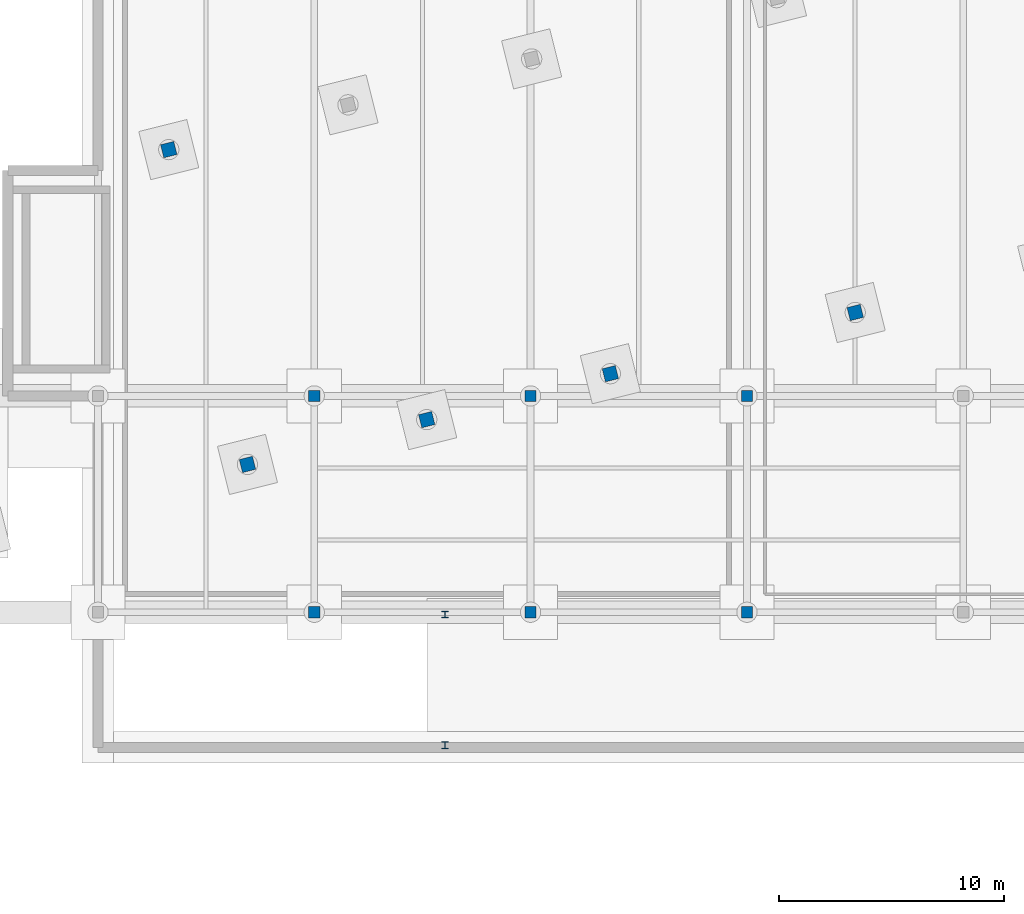
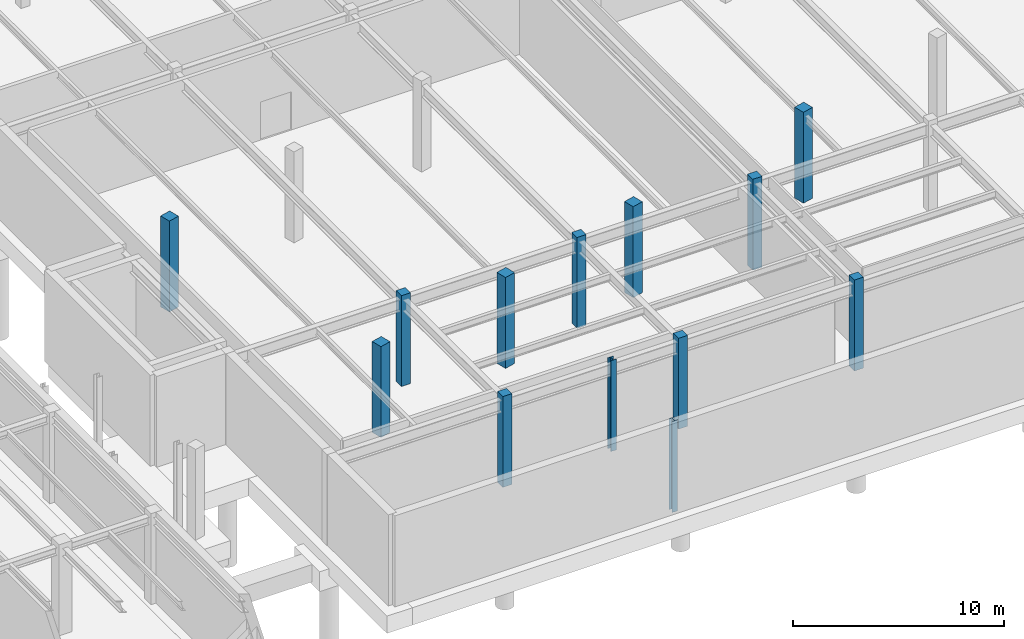
# One storey, part 7 of 33: 13 columns.
"""IFC4 building model written with IfcOpenShell, lengths in metres."""

from ifc_helpers import new_model, si_unit, direction, frame, origin, origin_2d, place, context, subcontext, project, spatial, rectangle, i_section, extrude, material, material_profile, profile_set, type_object, element, save


model = new_model("IFC4")

# Units and contexts
model_context = context("Model", 3, precision=1e-05, world=origin(), true_north=direction((0.0, 1.0)))
body_context = subcontext(model_context, "Body", "Model", "MODEL_VIEW")
ifc_project = project(units=[si_unit("LENGTHUNIT", "METRE"), si_unit("AREAUNIT", "SQUARE_METRE"), si_unit("VOLUMEUNIT", "CUBIC_METRE"), si_unit("PLANEANGLEUNIT", "RADIAN"), si_unit("MASSUNIT", "GRAM", prefix="KILO")], contexts=[model_context])

# Site, building, storey
site_placement = place(None, origin())
site = spatial("IfcSite", under=ifc_project, at=site_placement, CompositionType="ELEMENT")
building_placement = place(site_placement, origin())
building = spatial("IfcBuilding", under=site, at=building_placement, Name="Nordkorset Police Headquarters", CompositionType="ELEMENT")
storey_placement = place(building_placement, frame((0.0, 0.0, -9.800048828125)))
storey = spatial("IfcBuildingStorey", under=building, at=storey_placement, Name="B02", CompositionType="ELEMENT", Elevation=-9.800048828125)

# Columns
ifc_material_1 = material(Name="Steel S355J2", Category="steel")
ifc_material_profile_1 = material_profile(ifc_material_1, i_section(OverallWidth=0.300048828125, OverallDepth=0.300048828125, WebThickness=0.010986328125, FlangeThickness=0.01904296875, FilletRadius=0.027099609375, at=origin_2d()), Name="HEB 300")
ifc_profile_set_1 = profile_set([ifc_material_profile_1], Name="Steel S355J2")
column_type_1 = type_object("IfcColumnType", Name="Col_HEB_300", PredefinedType="COLUMN", material=ifc_profile_set_1)
for number, where, z_axis, x_axis, name in (
    (1, (44.199951171875, 32.5, 0.0), (0.0, 0.0, 1.0), (1.0, 0.0, 0.0), "Ramp Hood Pier B02 1"),
    (2, (44.199951171875, 38.300048828125, 0.0), (0.0, 0.0, 1.0), (1.0, 0.0, 0.0), "Ramp Hood Pier B02 3"),
):
    element("IfcColumn", number, at=place(storey_placement, frame(where, z_axis=z_axis, x_axis=x_axis)), inside=storey, type_object=column_type_1, Name=name, PredefinedType="COLUMN", context=body_context, shape_type="SweptSolid", body=[
        extrude(i_section(OverallWidth=0.300048828125, OverallDepth=0.300048828125, WebThickness=0.010986328125, FlangeThickness=0.01904296875, FilletRadius=0.027099609375, at=origin_2d()), origin(), (0.0, 0.0, 1.0), 5.25),
    ])
ifc_material_2 = material(Name="Concrete C45/55", Category="concrete")
ifc_material_profile_2 = material_profile(ifc_material_2, rectangle(XDim=0.5, YDim=0.5, at=origin_2d()), Name="RC 500x500")
ifc_profile_set_2 = profile_set([ifc_material_profile_2], Name="Concrete C45/55")
column_type_2 = type_object("IfcColumnType", Name="Col_RC_500x500", PredefinedType="COLUMN", material=ifc_profile_set_2)
for number, where, z_axis, x_axis, name in (
    (3, (38.39990234375, 38.39990234375, 0.0), (0.0, 0.0, 1.0), (1.0, 0.0, 0.0), "Structural Column SUB_C_1_0 B02"),
    (4, (38.39990234375, 48.0, 0.0), (0.0, 0.0, 1.0), (1.0, 0.0, 0.0), "Structural Column SUB_C_1_1 B02"),
    (5, (48.0, 38.39990234375, 0.0), (0.0, 0.0, 1.0), (1.0, 0.0, 0.0), "Structural Column SUB_C_2_0 B02"),
    (6, (48.0, 48.0, 0.0), (0.0, 0.0, 1.0), (1.0, 0.0, 0.0), "Structural Column SUB_C_2_1 B02"),
    (7, (57.60009765625, 38.39990234375, 0.0), (0.0, 0.0, 1.0), (1.0, 0.0, 0.0), "Structural Column SUB_C_3_0 B02"),
    (8, (57.60009765625, 48.0, 0.0), (0.0, 0.0, 1.0), (1.0, 0.0, 0.0), "Structural Column SUB_C_3_1 B02"),
):
    element("IfcColumn", number, at=place(storey_placement, frame(where, z_axis=z_axis, x_axis=x_axis)), inside=storey, type_object=column_type_2, Name=name, PredefinedType="COLUMN", context=body_context, shape_type="SweptSolid", body=[
        extrude(rectangle(XDim=0.5, YDim=0.5, at=origin_2d()), origin(), (0.0, 0.0, 1.0), 5.25),
    ])
ifc_material_3 = material(Name="Concrete C45/55", Category="concrete")
ifc_material_profile_3 = material_profile(ifc_material_3, rectangle(XDim=0.60009765625, YDim=0.60009765625, at=origin_2d()), Name="RC 600x600")
ifc_profile_set_3 = profile_set([ifc_material_profile_3], Name="Concrete C45/55")
column_type_3 = type_object("IfcColumnType", Name="Col_RC_600x600", PredefinedType="COLUMN", material=ifc_profile_set_3)
for number, where, z_axis, x_axis, name in (
    (9, (35.435791015625, 44.958984375, 0.0), (0.0, 0.0, 1.0), (0.970142500145, 0.242535625038, 0.0), "Structural Column V4_U1_V0 B02"),
    (10, (31.943115234375, 58.928955078125, 0.0), (0.0, 0.0, 1.0), (0.970142500145, 0.242535625038, 0.0), "Structural Column V4_U1_V1 B02"),
    (11, (43.390869140625, 46.94775390625, 0.0), (0.0, 0.0, 1.0), (0.970142500145, 0.242535625038, 0.0), "Structural Column V4_U2_V0 B02"),
    (12, (51.5400390625, 48.985107421875, 0.0), (0.0, 0.0, 1.0), (0.970142500145, 0.242535625038, 0.0), "Structural Column V4_U3_V0 B02"),
    (13, (62.40576171875, 51.701416015625, 0.0), (0.0, 0.0, 1.0), (0.970142500145, 0.242535625038, 0.0), "Structural Column V4_U4_V0 B02"),
):
    element("IfcColumn", number, at=place(storey_placement, frame(where, z_axis=z_axis, x_axis=x_axis)), inside=storey, type_object=column_type_3, Name=name, PredefinedType="COLUMN", context=body_context, shape_type="SweptSolid", body=[
        extrude(rectangle(XDim=0.60009765625, YDim=0.60009765625, at=origin_2d()), origin(), (0.0, 0.0, 1.0), 5.25),
    ])

save(model, "model.ifc")
